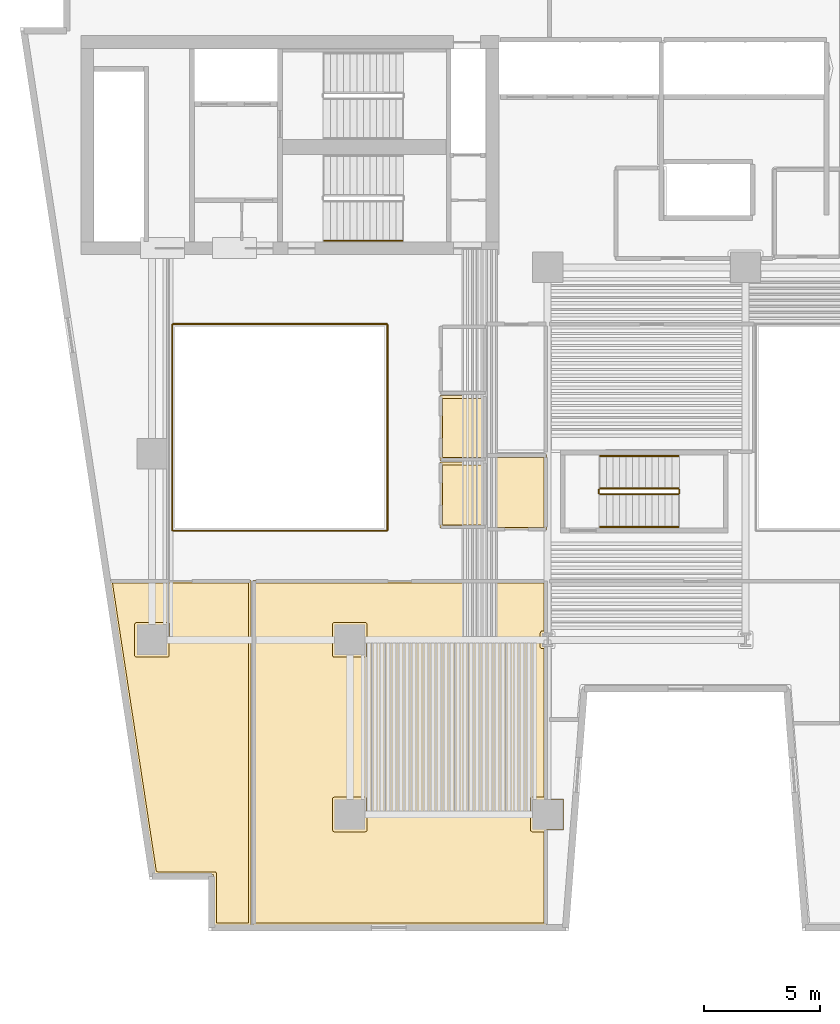
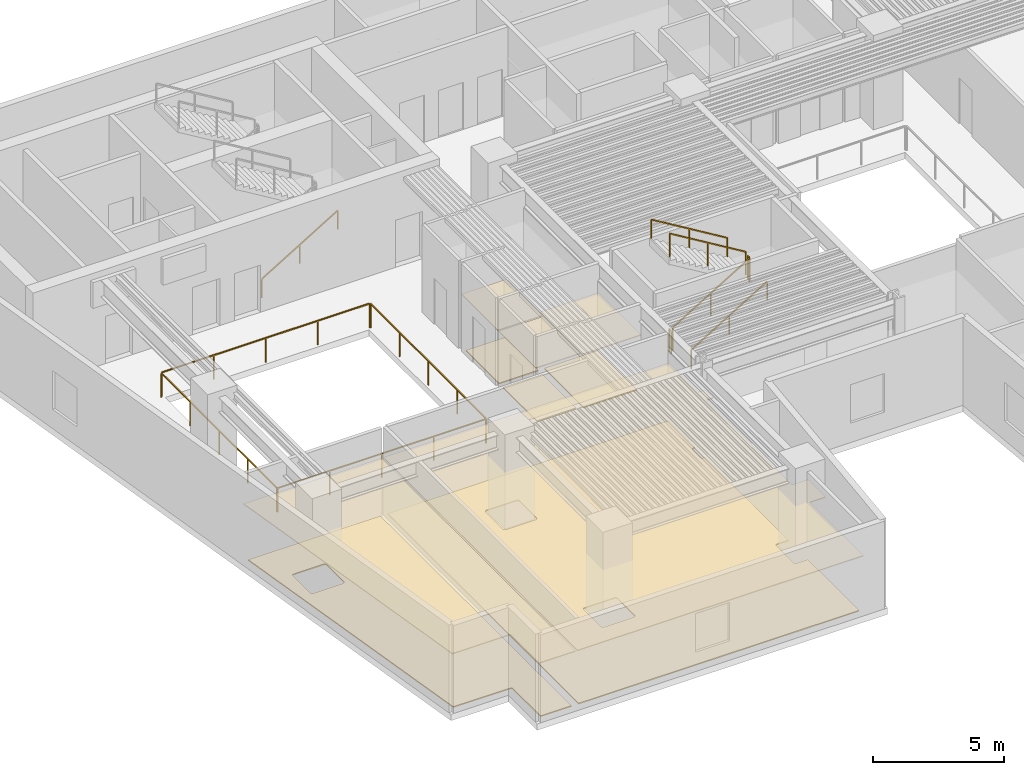
# One storey, part 8 of 11: 11 railings, 10 coverings.
"""IFC4 building model written with IfcOpenShell, lengths in metres."""

from ifc_helpers import new_model, si_unit, direction, frame, origin, origin_2d, place, context, subcontext, project, spatial, polyline, rectangle, outline, extrude, material, layer, layer_set, type_object, element, save


model = new_model("IFC4")

# Units and contexts
model_context = context("Model", 3, precision=1e-05, world=origin(), true_north=direction((0.0, 1.0)))
body_context = subcontext(model_context, "Body", "Model", "MODEL_VIEW")
ifc_project = project(units=[si_unit("LENGTHUNIT", "METRE"), si_unit("AREAUNIT", "SQUARE_METRE"), si_unit("VOLUMEUNIT", "CUBIC_METRE"), si_unit("PLANEANGLEUNIT", "RADIAN"), si_unit("MASSUNIT", "GRAM", prefix="KILO")], contexts=[model_context])

# Site, building, storey
site_placement = place(None, origin())
site = spatial("IfcSite", under=ifc_project, at=site_placement, CompositionType="ELEMENT")
building_placement = place(site_placement, origin())
building = spatial("IfcBuilding", under=site, at=building_placement, Name="Caeloran Harvest Quay", CompositionType="ELEMENT")
storey_placement = place(building_placement, frame((0.0, 0.0, 44.60009765625)))
storey = spatial("IfcBuildingStorey", under=building, at=storey_placement, Name="L10", CompositionType="ELEMENT", Elevation=44.60009765625)

# Coverings
ifc_material_1 = material(Name="Perforated Mineral-Fibre Acoustic Ceiling Tile", Category="ceiling")
ifc_layer_1 = layer(ifc_material_1, 0.0400390625, Name="Perforated Mineral-Fibre Acoustic Ceiling Tile")
ifc_layer_set_1 = layer_set([ifc_layer_1], Name="Perforated Mineral-Fibre Acoustic Ceiling Tile")
covering_type_1 = type_object("IfcCoveringType", Name="COV-CEILING-ACOUSTIC", PredefinedType="CEILING", material=ifc_layer_set_1)
covering_1_placement = place(storey_placement, frame((0.0, 0.0, 2.599853515625)))
element("IfcCovering", 1, at=covering_1_placement, inside=storey, type_object=covering_type_1, Name="L10 Female Washroom WC Acoustic Ceiling", PredefinedType="CEILING", context=body_context, shape_type="SweptSolid", body=[
    extrude(outline(polyline([(22.840087890625, 22.7099609375), (20.8701171875, 22.7099609375), (20.8701171875, 25.489990234375), (22.840087890625, 25.489990234375), (22.840087890625, 22.7099609375)])), origin(), (0.0, 0.0, 1.0), 0.0400390625),
])
covering_2_placement = place(storey_placement, frame((0.0, 0.0, 2.599853515625)))
element("IfcCovering", 2, at=covering_2_placement, inside=storey, type_object=covering_type_1, Name="L10 Accessible Unisex Washroom WC Acoustic Ceiling", PredefinedType="CEILING", context=body_context, shape_type="SweptSolid", body=[
    extrude(outline(polyline([(22.840087890625, 19.81005859375), (20.8701171875, 19.81005859375), (20.8701171875, 22.639892578125), (22.840087890625, 22.639892578125), (22.840087890625, 19.81005859375)])), origin(), (0.0, 0.0, 1.0), 0.0400390625),
])
covering_3_placement = place(storey_placement, frame((0.0, 0.0, 2.599853515625)))
element("IfcCovering", 3, at=covering_3_placement, inside=storey, type_object=covering_type_1, Name="Saffron and Herb Vertical Growing Room Acoustic Ceiling", PredefinedType="CEILING", context=body_context, shape_type="SweptSolid", body=[
    extrude(outline(polyline([(26.169921875, 8.169921875), (26.169921875, 6.830078125), (25.4599609375, 6.830078125), (25.4599609375, 2.719970703125), (12.840087890625, 2.719970703125), (12.840087890625, 17.56005859375), (25.4599609375, 17.56005859375), (25.4599609375, 15.304443359375), (25.7470703125, 15.304443359375), (25.7470703125, 14.695556640625), (25.4599609375, 14.695556640625), (25.4599609375, 8.169921875), (26.169921875, 8.169921875)])), origin(), (0.0, 0.0, 1.0), 0.0400390625),
])
covering_4_placement = place(storey_placement, frame((0.0, 0.0, 2.599853515625)))
element("IfcCovering", 4, at=covering_4_placement, inside=storey, type_object=covering_type_1, Name="Pollination Entomology Laboratory Acoustic Ceiling", PredefinedType="CEILING", context=body_context, shape_type="SweptSolid", body=[
    extrude(outline(polyline([(12.760009765625, 2.719970703125), (11.156982421875, 2.719970703125), (11.156982421875, 4.919921875), (8.59130859375, 4.919921875), (6.668701171875, 17.56005859375), (12.760009765625, 17.56005859375), (12.760009765625, 2.719970703125)])), origin(), (0.0, 0.0, 1.0), 0.0400390625),
])
covering_5_placement = place(storey_placement, frame((0.0, 0.0, 2.599853515625)))
element("IfcCovering", 5, at=covering_5_placement, inside=storey, type_object=covering_type_1, Name="Controlled-Climate Seed Vault Laboratory Acoustic Ceiling", PredefinedType="CEILING", context=body_context, shape_type="SweptSolid", body=[
    extrude(outline(polyline([(25.4599609375, 19.7099609375), (22.8701171875, 19.7099609375), (22.8701171875, 22.9599609375), (25.4599609375, 22.9599609375), (25.4599609375, 19.7099609375)])), origin(), (0.0, 0.0, 1.0), 0.0400390625),
])
ifc_material_2 = material(Name="Calcium-Sulphate Raised Access Floor and Terrazzo Finish", Category="flooring")
ifc_layer_2 = layer(ifc_material_2, 0.050048828125, Name="Calcium-Sulphate Raised Access Floor and Terrazzo Finish")
ifc_layer_set_2 = layer_set([ifc_layer_2], Name="Calcium-Sulphate Raised Access Floor and Terrazzo Finish")
covering_type_2 = type_object("IfcCoveringType", Name="COV-FLOOR-RAISED", PredefinedType="FLOORING", material=ifc_layer_set_2)
covering_6_placement = place(storey_placement, origin())
element("IfcCovering", 6, at=covering_6_placement, inside=storey, type_object=covering_type_2, Name="L10 Female Washroom WC Raised Finish Flooring", PredefinedType="FLOORING", context=body_context, shape_type="SweptSolid", body=[
    extrude(outline(polyline([(22.719970703125, 22.830078125), (20.989990234375, 22.830078125), (20.989990234375, 25.3701171875), (22.719970703125, 25.3701171875), (22.719970703125, 22.830078125)])), origin(), (0.0, 0.0, 1.0), 0.0498046875),
])
covering_7_placement = place(storey_placement, origin())
element("IfcCovering", 7, at=covering_7_placement, inside=storey, type_object=covering_type_2, Name="L10 Accessible Unisex Washroom WC Raised Finish Flooring", PredefinedType="FLOORING", context=body_context, shape_type="SweptSolid", body=[
    extrude(outline(polyline([(22.719970703125, 19.929931640625), (20.989990234375, 19.929931640625), (20.989990234375, 22.52001953125), (22.719970703125, 22.52001953125), (22.719970703125, 19.929931640625)])), origin(), (0.0, 0.0, 1.0), 0.0498046875),
])
covering_8_placement = place(storey_placement, origin())
element("IfcCovering", 8, at=covering_8_placement, inside=storey, type_object=covering_type_2, Name="Saffron and Herb Vertical Growing Room Raised Finish Flooring", PredefinedType="FLOORING", context=body_context, shape_type="SweptSolid", body=[
    extrude(outline(polyline([(25.340087890625, 17.43994140625), (25.340087890625, 15.37939453125), (25.22021484375, 15.3701171875), (25.177978515625, 15.299560546875), (25.179443359375, 14.684814453125), (25.227294921875, 14.626708984375), (25.340087890625, 14.62060546875), (25.340087890625, 8.2451171875), (24.8271484375, 8.24462890625), (24.773193359375, 8.2158203125), (24.7548828125, 8.1650390625), (24.760986328125, 6.804443359375), (24.8271484375, 6.75537109375), (25.340087890625, 6.7548828125), (25.340087890625, 2.840087890625), (12.9599609375, 2.840087890625), (12.9599609375, 17.43994140625), (25.340087890625, 17.43994140625)]), holes=[polyline([(16.3349609375, 8.2451171875), (16.2783203125, 8.2216796875), (16.2548828125, 8.1650390625), (16.2548828125, 6.8349609375), (16.2783203125, 6.7783203125), (16.3349609375, 6.7548828125), (17.6650390625, 6.7548828125), (17.7216796875, 6.7783203125), (17.7451171875, 6.8349609375), (17.7451171875, 8.1650390625), (17.7216796875, 8.2216796875), (17.6650390625, 8.2451171875), (16.3349609375, 8.2451171875)]), polyline([(17.7451171875, 15.6650390625), (17.7216796875, 15.7216796875), (17.6650390625, 15.7451171875), (16.3349609375, 15.7451171875), (16.2783203125, 15.7216796875), (16.2548828125, 15.6650390625), (16.2548828125, 14.3349609375), (16.2783203125, 14.2783203125), (16.3349609375, 14.2548828125), (17.6650390625, 14.2548828125), (17.7216796875, 14.2783203125), (17.7451171875, 14.3349609375), (17.7451171875, 15.6650390625)])]), origin(), (0.0, 0.0, 1.0), 0.0498046875),
])
covering_9_placement = place(storey_placement, origin())
element("IfcCovering", 9, at=covering_9_placement, inside=storey, type_object=covering_type_2, Name="Pollination Entomology Laboratory Raised Finish Flooring", PredefinedType="FLOORING", context=body_context, shape_type="SweptSolid", body=[
    extrude(outline(polyline([(12.639892578125, 17.43994140625), (12.639892578125, 2.840087890625), (11.277099609375, 2.840087890625), (11.277099609375, 4.9599609375), (11.247802734375, 5.021728515625), (8.694580078125, 5.0400390625), (6.80810546875, 17.43994140625), (12.639892578125, 17.43994140625)]), holes=[polyline([(9.2451171875, 15.6650390625), (9.2216796875, 15.7216796875), (9.1650390625, 15.7451171875), (7.8349609375, 15.7451171875), (7.7783203125, 15.7216796875), (7.7548828125, 15.6650390625), (7.7548828125, 14.3349609375), (7.7783203125, 14.2783203125), (7.8349609375, 14.2548828125), (9.1650390625, 14.2548828125), (9.2216796875, 14.2783203125), (9.2451171875, 14.3349609375), (9.2451171875, 15.6650390625)])]), origin(), (0.0, 0.0, 1.0), 0.0498046875),
])
covering_10_placement = place(storey_placement, origin())
element("IfcCovering", 10, at=covering_10_placement, inside=storey, type_object=covering_type_2, Name="Controlled-Climate Seed Vault Laboratory Raised Finish Flooring", PredefinedType="FLOORING", context=body_context, shape_type="SweptSolid", body=[
    extrude(outline(polyline([(25.340087890625, 19.830078125), (22.989990234375, 19.830078125), (22.989990234375, 22.840087890625), (25.340087890625, 22.840087890625), (25.340087890625, 19.830078125)])), origin(), (0.0, 0.0, 1.0), 0.0498046875),
])

# Railings
ifc_material_3 = material(Name="Powder-Coated Steel Post and Laminated Glass Guardrail", Category="steel")
ifc_layer_3 = layer(ifc_material_3, 0.06005859375, Name="Powder-Coated Steel Post and Laminated Glass Guardrail")
ifc_layer_set_3 = layer_set([ifc_layer_3], Name="Powder-Coated Steel Post and Laminated Glass Guardrail")
railing_type_1 = type_object("IfcRailingType", Name="GUARD-ATRIUM-1150", PredefinedType="GUARDRAIL", material=ifc_layer_set_3)
railing_1_placement = place(storey_placement, frame((9.412109375, 19.679931640625, 0.0)))
element("IfcRailing", 11, at=railing_1_placement, inside=storey, type_object=railing_type_1, Name="L10 Skylit Atrium Void Perimeter Guardrail Seg 1", PredefinedType="GUARDRAIL", context=body_context, shape_type="SweptSolid", body=[
    extrude(rectangle(XDim=0.048095703125, YDim=0.048095703125, at=origin_2d()), frame((0.0, 0.0, 1.1259765625), z_axis=(1.0, 0.0, 0.0), x_axis=(0.0, 1.0, 0.0)), (0.0, 0.0, 1.0), 9.17578125),
    extrude(rectangle(XDim=0.0419921875, YDim=0.0419921875, at=origin_2d()), origin(), (0.0, 0.0, 1.0), 1.101806640625),
    extrude(rectangle(XDim=0.0419921875, YDim=0.0419921875, at=origin_2d()), frame((2.2939453125, 0.0, 0.0)), (0.0, 0.0, 1.0), 1.101806640625),
    extrude(rectangle(XDim=0.0419921875, YDim=0.0419921875, at=origin_2d()), frame((4.587890625, 0.0, 0.0)), (0.0, 0.0, 1.0), 1.101806640625),
    extrude(rectangle(XDim=0.0419921875, YDim=0.0419921875, at=origin_2d()), frame((6.8818359375, 0.0, 0.0)), (0.0, 0.0, 1.0), 1.101806640625),
    extrude(rectangle(XDim=0.0419921875, YDim=0.0419921875, at=origin_2d()), frame((9.17578125, 0.0, 0.0)), (0.0, 0.0, 1.0), 1.101806640625),
])
railing_2_placement = place(storey_placement, frame((18.6201171875, 19.7119140625, 0.0)))
element("IfcRailing", 12, at=railing_2_placement, inside=storey, type_object=railing_type_1, Name="L10 Skylit Atrium Void Perimeter Guardrail Seg 2", PredefinedType="GUARDRAIL", context=body_context, shape_type="SweptSolid", body=[
    extrude(rectangle(XDim=0.048095703125, YDim=0.048095703125, at=origin_2d()), frame((0.0, 0.0, 1.1259765625), z_axis=(0.0, 1.0, 0.0), x_axis=(-1.0, 0.0, 0.0)), (0.0, 0.0, 1.0), 8.826171875),
    extrude(rectangle(XDim=0.0419921875, YDim=0.0419921875, at=origin_2d()), origin(), (0.0, 0.0, 1.0), 1.101806640625),
    extrude(rectangle(XDim=0.0419921875, YDim=0.0419921875, at=origin_2d()), frame((0.0, 2.20654296875, 0.0)), (0.0, 0.0, 1.0), 1.101806640625),
    extrude(rectangle(XDim=0.0419921875, YDim=0.0419921875, at=origin_2d()), frame((0.0, 4.4130859375, 0.0)), (0.0, 0.0, 1.0), 1.101806640625),
    extrude(rectangle(XDim=0.0419921875, YDim=0.0419921875, at=origin_2d()), frame((0.0, 6.61962890625, 0.0)), (0.0, 0.0, 1.0), 1.101806640625),
    extrude(rectangle(XDim=0.0419921875, YDim=0.0419921875, at=origin_2d()), frame((0.0, 8.826171875, 0.0)), (0.0, 0.0, 1.0), 1.101806640625),
])
railing_3_placement = place(storey_placement, frame((18.587890625, 28.570068359375, 0.0)))
element("IfcRailing", 13, at=railing_3_placement, inside=storey, type_object=railing_type_1, Name="L10 Skylit Atrium Void Perimeter Guardrail Seg 3", PredefinedType="GUARDRAIL", context=body_context, shape_type="SweptSolid", body=[
    extrude(rectangle(XDim=0.048095703125, YDim=0.048095703125, at=origin_2d()), frame((0.0, 0.0, 1.1259765625), z_axis=(-1.0, 0.0, 0.0), x_axis=(0.0, -1.0, 0.0)), (0.0, 0.0, 1.0), 9.17578125),
    extrude(rectangle(XDim=0.0419921875, YDim=0.0419921875, at=origin_2d()), origin(), (0.0, 0.0, 1.0), 1.101806640625),
    extrude(rectangle(XDim=0.0419921875, YDim=0.0419921875, at=origin_2d()), frame((-2.2939453125, 0.0, 0.0)), (0.0, 0.0, 1.0), 1.101806640625),
    extrude(rectangle(XDim=0.0419921875, YDim=0.0419921875, at=origin_2d()), frame((-4.587890625, 0.0, 0.0)), (0.0, 0.0, 1.0), 1.101806640625),
    extrude(rectangle(XDim=0.0419921875, YDim=0.0419921875, at=origin_2d()), frame((-6.8818359375, 0.0, 0.0)), (0.0, 0.0, 1.0), 1.101806640625),
    extrude(rectangle(XDim=0.0419921875, YDim=0.0419921875, at=origin_2d()), frame((-9.17578125, 0.0, 0.0)), (0.0, 0.0, 1.0), 1.101806640625),
])
railing_4_placement = place(storey_placement, frame((9.3798828125, 28.5380859375, 0.0)))
element("IfcRailing", 14, at=railing_4_placement, inside=storey, type_object=railing_type_1, Name="L10 Skylit Atrium Void Perimeter Guardrail Seg 4", PredefinedType="GUARDRAIL", context=body_context, shape_type="SweptSolid", body=[
    extrude(rectangle(XDim=0.048095703125, YDim=0.048095703125, at=origin_2d()), frame((0.0, 0.0, 1.1259765625), z_axis=(0.0, -1.0, 0.0), x_axis=(1.0, 0.0, 0.0)), (0.0, 0.0, 1.0), 8.826171875),
    extrude(rectangle(XDim=0.0419921875, YDim=0.0419921875, at=origin_2d()), origin(), (0.0, 0.0, 1.0), 1.101806640625),
    extrude(rectangle(XDim=0.0419921875, YDim=0.0419921875, at=origin_2d()), frame((0.0, -2.20654296875, 0.0)), (0.0, 0.0, 1.0), 1.101806640625),
    extrude(rectangle(XDim=0.0419921875, YDim=0.0419921875, at=origin_2d()), frame((0.0, -4.4130859375, 0.0)), (0.0, 0.0, 1.0), 1.101806640625),
    extrude(rectangle(XDim=0.0419921875, YDim=0.0419921875, at=origin_2d()), frame((0.0, -6.61962890625, 0.0)), (0.0, 0.0, 1.0), 1.101806640625),
    extrude(rectangle(XDim=0.0419921875, YDim=0.0419921875, at=origin_2d()), frame((0.0, -8.826171875, 0.0)), (0.0, 0.0, 1.0), 1.101806640625),
])
ifc_material_4 = material(Name="Painted Steel Baluster and Top-Rail Stair Guard", Category="steel")
ifc_layer_4 = layer(ifc_material_4, 0.050048828125, Name="Painted Steel Baluster and Top-Rail Stair Guard")
ifc_layer_set_4 = layer_set([ifc_layer_4], Name="Painted Steel Baluster and Top-Rail Stair Guard")
railing_type_2 = type_object("IfcRailingType", Name="STAIR-GUARD-1100", PredefinedType="GUARDRAIL", material=ifc_layer_set_4)
railing_5_placement = place(storey_placement, frame((27.75, 21.25, 0.169189453125)))
element("IfcRailing", 15, at=railing_5_placement, inside=storey, type_object=railing_type_2, Name="L10 ST-W1 stair guard 1", PredefinedType="GUARDRAIL", context=body_context, shape_type="SweptSolid", body=[
    extrude(rectangle(XDim=0.048095703125, YDim=0.048095703125, at=origin_2d()), frame((0.0, 0.0, 1.076171875), z_axis=(0.855836976705, 0.0, 0.517245656632), x_axis=(0.0, 1.0, 0.0)), (0.0, 0.0, 1.0), 3.926025390625),
    extrude(rectangle(XDim=0.0419921875, YDim=0.0419921875, at=origin_2d()), origin(), (0.0, 0.0, 1.0), 1.052001953125),
    extrude(rectangle(XDim=0.0419921875, YDim=0.0419921875, at=origin_2d()), frame((1.68017578125, 0.0, 1.015380859375)), (0.0, 0.0, 1.0), 1.052001953125),
    extrude(rectangle(XDim=0.0419921875, YDim=0.0419921875, at=origin_2d()), frame((3.360107421875, 0.0, 2.03076171875)), (0.0, 0.0, 1.0), 1.052001953125),
])
railing_6_placement = place(storey_placement, frame((31.159912109375, 21.300048828125, 2.199951171875)))
element("IfcRailing", 16, at=railing_6_placement, inside=storey, type_object=railing_type_2, Name="L10 ST-W1 stair guard 2", PredefinedType="GUARDRAIL", context=body_context, shape_type="SweptSolid", body=[
    extrude(rectangle(XDim=0.048095703125, YDim=0.048095703125, at=origin_2d()), frame((0.0, 0.0, 1.076171875), z_axis=(0.0, 1.0, 0.0), x_axis=(-1.0, 0.0, 0.0)), (0.0, 0.0, 1.0), 0.14990234375),
    extrude(rectangle(XDim=0.0419921875, YDim=0.0419921875, at=origin_2d()), origin(), (0.0, 0.0, 1.0), 1.052001953125),
    extrude(rectangle(XDim=0.0419921875, YDim=0.0419921875, at=origin_2d()), frame((0.0, 0.14990234375, 0.0)), (0.0, 0.0, 1.0), 1.052001953125),
])
railing_7_placement = place(storey_placement, frame((31.110107421875, 21.5, 2.369140625)))
element("IfcRailing", 17, at=railing_7_placement, inside=storey, type_object=railing_type_2, Name="L10 ST-W1 stair guard 3", PredefinedType="GUARDRAIL", context=body_context, shape_type="SweptSolid", body=[
    extrude(rectangle(XDim=0.048095703125, YDim=0.048095703125, at=origin_2d()), frame((0.0, 0.0, 1.076171875), z_axis=(-0.855836976705, 0.0, 0.517245656632), x_axis=(0.0, -1.0, 0.0)), (0.0, 0.0, 1.0), 3.926025390625),
    extrude(rectangle(XDim=0.0419921875, YDim=0.0419921875, at=origin_2d()), origin(), (0.0, 0.0, 1.0), 1.052001953125),
    extrude(rectangle(XDim=0.0419921875, YDim=0.0419921875, at=origin_2d()), frame((-1.68017578125, 0.0, 1.015380859375)), (0.0, 0.0, 1.0), 1.052001953125),
    extrude(rectangle(XDim=0.0419921875, YDim=0.0419921875, at=origin_2d()), frame((-3.360107421875, 0.0, 2.03076171875)), (0.0, 0.0, 1.0), 1.052001953125),
])
railing_8_placement = place(storey_placement, frame((27.699951171875, 21.300048828125, 0.0)))
element("IfcRailing", 18, at=railing_8_placement, inside=storey, type_object=railing_type_2, Name="L10 ST-W1 stair guard 4", PredefinedType="GUARDRAIL", context=body_context, shape_type="SweptSolid", body=[
    extrude(rectangle(XDim=0.048095703125, YDim=0.048095703125, at=origin_2d()), frame((0.0, 0.0, 1.076171875), z_axis=(0.0, 1.0, 0.0), x_axis=(-1.0, 0.0, 0.0)), (0.0, 0.0, 1.0), 0.14990234375),
    extrude(rectangle(XDim=0.0419921875, YDim=0.0419921875, at=origin_2d()), origin(), (0.0, 0.0, 1.0), 1.052001953125),
    extrude(rectangle(XDim=0.0419921875, YDim=0.0419921875, at=origin_2d()), frame((0.0, 0.14990234375, 0.0)), (0.0, 0.0, 1.0), 1.052001953125),
])
ifc_material_5 = material(Name="Brushed Stainless Steel Grade 304", Category="steel")
ifc_layer_5 = layer(ifc_material_5, 0.050048828125, Name="Brushed Stainless Steel Grade 304")
ifc_layer_set_5 = layer_set([ifc_layer_5], Name="Brushed Stainless Steel Grade 304")
railing_type_3 = type_object("IfcRailingType", Name="STAIR-HANDRAIL-900", PredefinedType="HANDRAIL", material=ifc_layer_set_5)
for number, where, name in (
    (19, (15.89990234375, 32.14990234375, 0.169189453125), "L10 ST-C2 stair handrail 1"),
    (20, (27.75, 19.85009765625, 0.169189453125), "L10 ST-W1 stair handrail 1"),
):
    element("IfcRailing", number, at=place(storey_placement, frame(where)), inside=storey, type_object=railing_type_3, Name=name, PredefinedType="HANDRAIL", context=body_context, shape_type="SweptSolid", body=[
        extrude(rectangle(XDim=0.048095703125, YDim=0.048095703125, at=origin_2d()), frame((0.0, 0.0, 0.8759765625), z_axis=(0.855836976705, 0.0, 0.517245656632), x_axis=(0.0, 1.0, 0.0)), (0.0, 0.0, 1.0), 3.926025390625),
        extrude(rectangle(XDim=0.0419921875, YDim=0.0419921875, at=origin_2d()), origin(), (0.0, 0.0, 1.0), 0.851806640625),
        extrude(rectangle(XDim=0.0419921875, YDim=0.0419921875, at=origin_2d()), frame((1.68017578125, 0.0, 1.015380859375)), (0.0, 0.0, 1.0), 0.851806640625),
        extrude(rectangle(XDim=0.0419921875, YDim=0.0419921875, at=origin_2d()), frame((3.360107421875, 0.0, 2.03076171875)), (0.0, 0.0, 1.0), 0.851806640625),
    ])
railing_9_placement = place(storey_placement, frame((31.110107421875, 22.89990234375, 2.369140625)))
element("IfcRailing", 21, at=railing_9_placement, inside=storey, type_object=railing_type_3, Name="L10 ST-W1 stair handrail 2", PredefinedType="HANDRAIL", context=body_context, shape_type="SweptSolid", body=[
    extrude(rectangle(XDim=0.048095703125, YDim=0.048095703125, at=origin_2d()), frame((0.0, 0.0, 0.8759765625), z_axis=(-0.855836976705, 0.0, 0.517245656632), x_axis=(0.0, -1.0, 0.0)), (0.0, 0.0, 1.0), 3.926025390625),
    extrude(rectangle(XDim=0.0419921875, YDim=0.0419921875, at=origin_2d()), origin(), (0.0, 0.0, 1.0), 0.851806640625),
    extrude(rectangle(XDim=0.0419921875, YDim=0.0419921875, at=origin_2d()), frame((-1.68017578125, 0.0, 1.015380859375)), (0.0, 0.0, 1.0), 0.851806640625),
    extrude(rectangle(XDim=0.0419921875, YDim=0.0419921875, at=origin_2d()), frame((-3.360107421875, 0.0, 2.03076171875)), (0.0, 0.0, 1.0), 0.851806640625),
])

save(model, "model.ifc")
